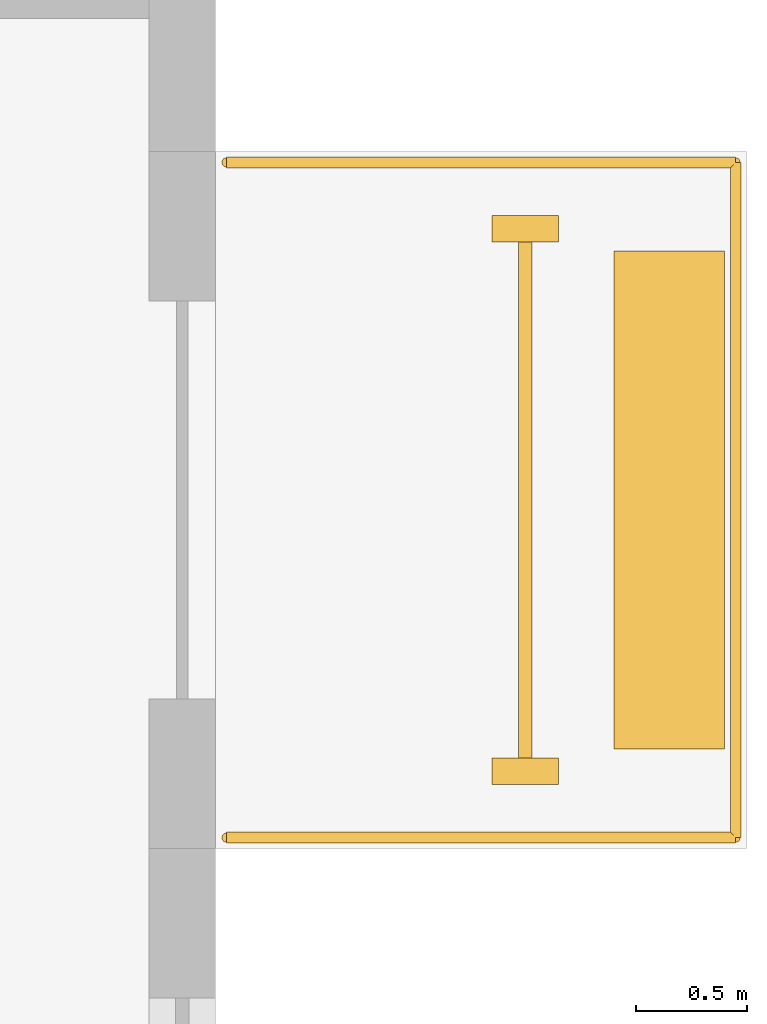
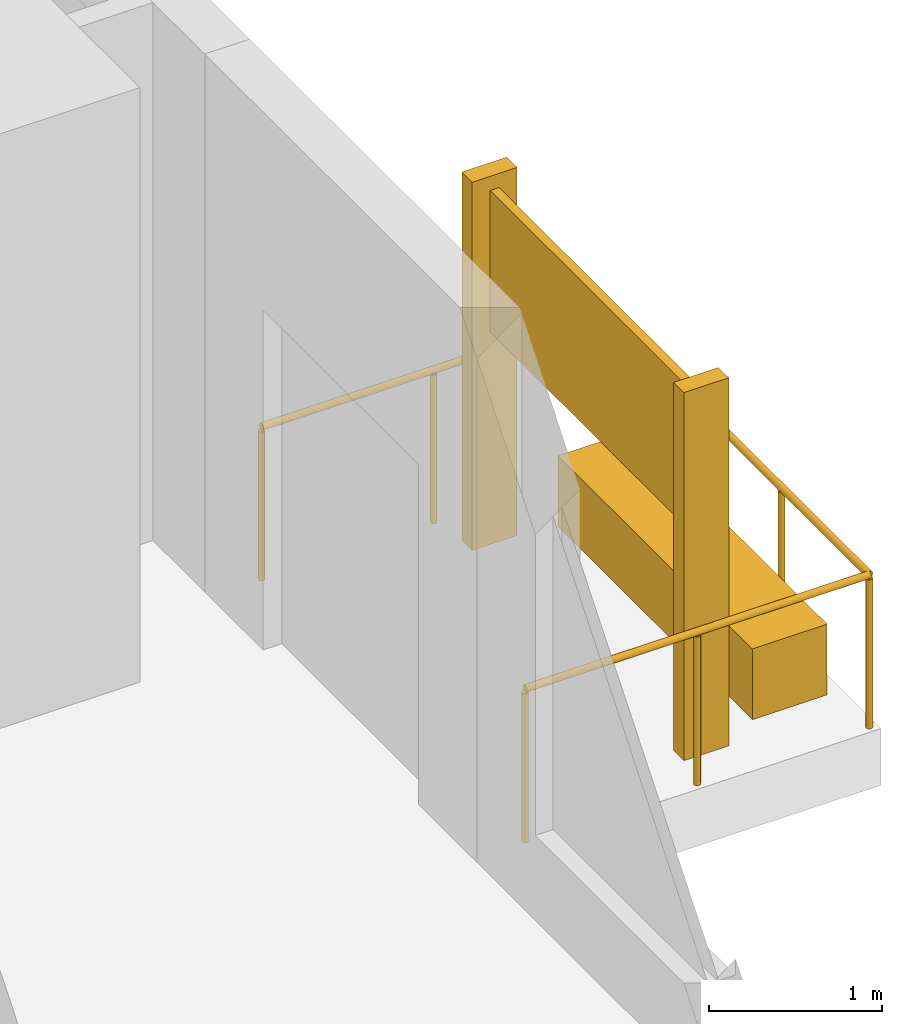
# One storey, part 14 of 14: 4 coverings, 1 railing.
"""IFC4 building model written with IfcOpenShell, lengths in metres."""

from ifc_helpers import new_model, si_unit, direction, frame, origin, origin_2d, place, context, subcontext, project, spatial, rectangle, circle, extrude, source, transform, mapped, material, type_object, element, save


model = new_model("IFC4")

# Units and contexts
model_context = context("Model", 3, precision=1e-05, world=origin(), true_north=direction((0.0, 1.0)))
body_context = subcontext(model_context, "Body", "Model", "MODEL_VIEW")
ifc_project = project(units=[si_unit("LENGTHUNIT", "METRE"), si_unit("AREAUNIT", "SQUARE_METRE"), si_unit("VOLUMEUNIT", "CUBIC_METRE"), si_unit("PLANEANGLEUNIT", "RADIAN"), si_unit("MASSUNIT", "GRAM", prefix="KILO")], contexts=[model_context])

# Site, building, storey
site_placement = place(None, origin())
site = spatial("IfcSite", under=ifc_project, at=site_placement, CompositionType="ELEMENT")
building_placement = place(site_placement, origin())
building = spatial("IfcBuilding", under=site, at=building_placement, Name="Aurelian Terraces", CompositionType="ELEMENT")
storey_placement = place(building_placement, frame((0.0, 0.0, 40.5)))
storey = spatial("IfcBuildingStorey", under=building, at=storey_placement, Name="L07", CompositionType="ELEMENT", Elevation=40.5)

# Covering
ifc_material_1 = material(Name="Terracotta rainscreen cladding relief", Category="masonry")
covering_type_1 = type_object("IfcCoveringType", Name="FIN-TC", PredefinedType="CLADDING", material=ifc_material_1)
covering_1_placement = place(storey_placement, frame((72.8, 7.7, 0.0), z_axis=(0.0, 0.0, 1.0), x_axis=(1.0, 0.0, 0.0)))
element("IfcCovering", 1, at=covering_1_placement, inside=storey, type_object=covering_type_1, Name="FIN L07 L07-F04-16.1", PredefinedType="CLADDING", context=body_context, shape_type="SweptSolid", body=[
    extrude(rectangle(XDim=0.3, YDim=0.12, at=origin_2d()), origin(), (0.0, 0.0, 1.0), 2.6),
])

# Railing
ifc_material_2 = material(Name="Anodised aluminium", Category="aluminium")
railing_type = type_object("IfcRailingType", Name="GUARD-1100", PredefinedType="GUARDRAIL", material=ifc_material_2)
railing_placement = place(storey_placement, frame((71.45, 7.4, 0.0)))
element("IfcRailing", 2, at=railing_placement, inside=storey, type_object=railing_type, Name="Balcony guard L07 F04.16", PredefinedType="GUARDRAIL", context=body_context, shape_type="SweptSolid", body=[
    extrude(circle(Radius=0.024, at=origin_2d()), frame((0.0, 0.0, 1.076), z_axis=(1.0, 0.0, 0.0), x_axis=(0.0, 1.0, 0.0)), (0.0, 0.0, 1.0), 2.3),
    extrude(circle(Radius=0.024, at=origin_2d()), frame((2.3, 0.0, 1.076), z_axis=(0.0, 1.0, 0.0), x_axis=(-1.0, 0.0, 0.0)), (0.0, 0.0, 1.0), 3.05),
    extrude(circle(Radius=0.024, at=origin_2d()), frame((2.3, 3.05, 1.076), z_axis=(-1.0, 0.0, 0.0), x_axis=(0.0, -1.0, 0.0)), (0.0, 0.0, 1.0), 2.3),
    extrude(circle(Radius=0.021, at=origin_2d()), origin(), (0.0, 0.0, 1.0), 1.052),
    extrude(circle(Radius=0.021, at=origin_2d()), frame((1.15, 0.0, 0.0)), (0.0, 0.0, 1.0), 1.052),
    extrude(circle(Radius=0.021, at=origin_2d()), frame((2.3, 0.0, 0.0)), (0.0, 0.0, 1.0), 1.052),
    extrude(circle(Radius=0.021, at=origin_2d()), frame((2.3, 1.0167, 0.0)), (0.0, 0.0, 1.0), 1.052),
    extrude(circle(Radius=0.021, at=origin_2d()), frame((2.3, 2.0333, 0.0)), (0.0, 0.0, 1.0), 1.052),
    extrude(circle(Radius=0.021, at=origin_2d()), frame((2.3, 3.05, 0.0)), (0.0, 0.0, 1.0), 1.052),
    extrude(circle(Radius=0.021, at=origin_2d()), frame((1.15, 3.05, 0.0)), (0.0, 0.0, 1.0), 1.052),
    extrude(circle(Radius=0.021, at=origin_2d()), frame((0.0, 3.05, 0.0)), (0.0, 0.0, 1.0), 1.052),
])

# Coverings
ifc_material_3 = material(Name="Terracotta planter with planting soil", Category="masonry")
covering_type_2 = type_object("IfcCoveringType", Name="PLANTER-TROUGH", PredefinedType="USERDEFINED", material=ifc_material_3)
covering_2_placement = place(storey_placement, frame((73.45, 8.925, 0.0), z_axis=(0.0, 0.0, 1.0), x_axis=(1.0, 0.0, 0.0)))
element("IfcCovering", 3, at=covering_2_placement, inside=storey, type_object=covering_type_2, Name="PLANTER L07 L07-F04-16", ObjectType="PLANTER", PredefinedType="USERDEFINED", context=body_context, shape_type="SweptSolid", body=[
    extrude(rectangle(XDim=0.5, YDim=2.25, at=origin_2d()), origin(), (0.0, 0.0, 1.0), 0.5),
])
ifc_material_4 = material(Name="Terracotta rainscreen cladding", Category="masonry")
covering_type_3 = type_object("IfcCoveringType", Name="SCREEN-TC", PredefinedType="CLADDING", material=ifc_material_4)
covering_3_placement = place(storey_placement, frame((72.8, 8.925, 1.5), z_axis=(0.0, 0.0, 1.0), x_axis=(1.0, 0.0, 0.0)))
element("IfcCovering", 4, at=covering_3_placement, inside=storey, type_object=covering_type_3, Name="SCREEN L07 L07-F04-16", PredefinedType="CLADDING", context=body_context, shape_type="SweptSolid", body=[
    extrude(rectangle(XDim=0.06, YDim=2.33, at=origin_2d()), origin(), (0.0, 0.0, 1.0), 1.0),
])
shared_shape = source(origin(), body_context, "Body", "SweptSolid", [
    extrude(rectangle(XDim=0.3, YDim=0.12, at=origin_2d()), origin(), (0.0, 0.0, 1.0), 2.6),
])
covering_4_placement = place(storey_placement, frame((72.8, 10.15, 0.0), z_axis=(0.0, 0.0, 1.0), x_axis=(1.0, 0.0, 0.0)))
element("IfcCovering", 5, at=covering_4_placement, inside=storey, type_object=covering_type_1, Name="FIN L07 L07-F04-16.2", PredefinedType="CLADDING", context=body_context, shape_type="MappedRepresentation", body=[
    mapped(shared_shape, transform((0.0, 0.0, 0.0), scale=1.0)),
])

save(model, "model.ifc")
